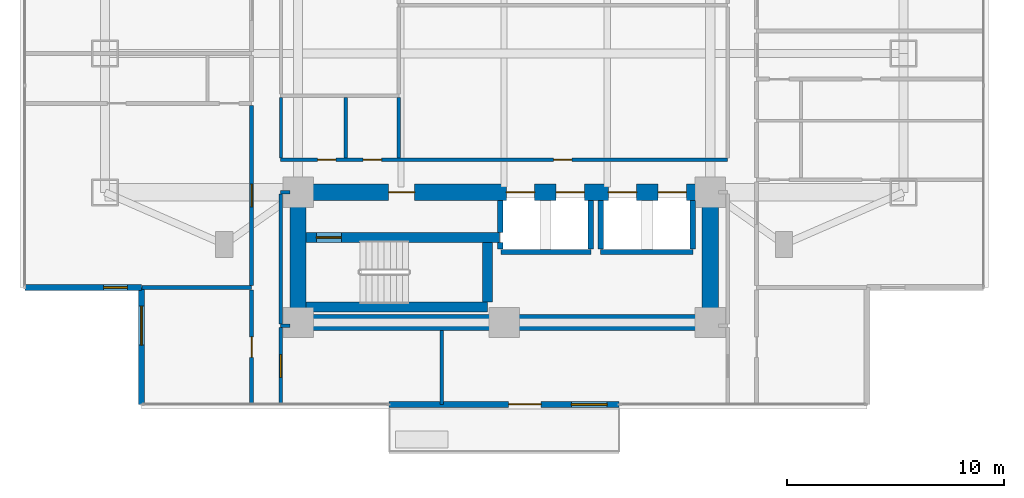
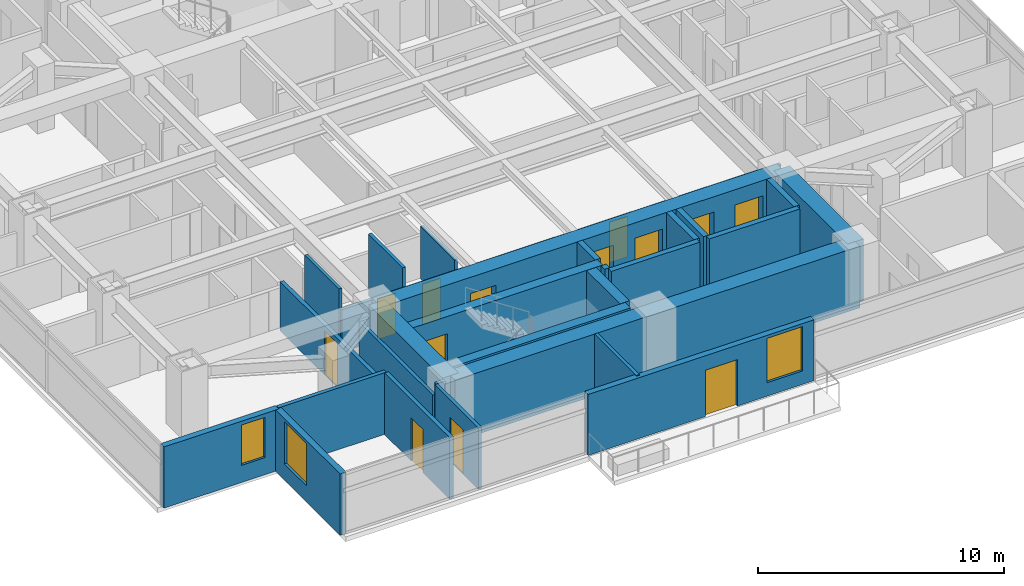
# One storey, part 13 of 25: 29 walls, 13 doors, 3 windows, 16 openings.
"""IFC4 building model written with IfcOpenShell, lengths in metres."""

from ifc_helpers import new_model, si_unit, direction, frame, frame_2d, origin, place, context, subcontext, project, spatial, rectangle, extrude, material, layer, layer_set, type_object, element, fill, save


model = new_model("IFC4")

# Units and contexts
model_context = context("Model", 3, precision=1e-05, world=origin(), true_north=direction((0.0, 1.0)))
body_context = subcontext(model_context, "Body", "Model", "MODEL_VIEW")
ifc_project = project(units=[si_unit("LENGTHUNIT", "METRE"), si_unit("AREAUNIT", "SQUARE_METRE"), si_unit("VOLUMEUNIT", "CUBIC_METRE"), si_unit("PLANEANGLEUNIT", "RADIAN"), si_unit("MASSUNIT", "GRAM", prefix="KILO")], contexts=[model_context])

# Site, building, storey
site_placement = place(None, origin())
site = spatial("IfcSite", under=ifc_project, at=site_placement, CompositionType="ELEMENT")
building_placement = place(site_placement, origin())
building = spatial("IfcBuilding", under=site, at=building_placement, Name="Mirazonda Arch Towers", CompositionType="ELEMENT")
storey_placement = place(building_placement, frame((0.0, 0.0, 35.60009765625)))
storey = spatial("IfcBuildingStorey", under=building, at=storey_placement, Name="L09", CompositionType="ELEMENT", Elevation=35.60009765625)

# Wall
ifc_material_1 = material(Name="Concrete C50/60", Category="concrete")
ifc_layer_1 = layer(ifc_material_1, 0.449951171875, Name="WALL-CORE-450")
ifc_layer_set_1 = layer_set([ifc_layer_1], Name="Concrete C50/60")
wall_type_1 = type_object("IfcWallType", Name="WALL-CORE-450", PredefinedType="SHEAR", material=ifc_layer_set_1)
wall_1_placement = place(storey_placement, frame((11.3701171875, 13.1201171875, 0.0), z_axis=(0.0, 0.0, 1.0), x_axis=(1.0, 0.0, 0.0)))
element("IfcWall", 1, at=wall_1_placement, inside=storey, type_object=wall_type_1, Name="L09 Stair Core Shear Wall 003", PredefinedType="SHEAR", context=body_context, shape_type="SweptSolid", body=[
    extrude(rectangle(XDim=8.35986328125, YDim=0.449951171875, at=frame_2d((4.179931640625, 0.0))), origin(), (0.0, 0.0, 1.0), 3.059814453125),
])

# Wall, opening, door
wall_2_placement = place(storey_placement, frame((11.3701171875, 16.320068359375, 0.0), z_axis=(0.0, 0.0, 1.0), x_axis=(1.0, 0.0, 0.0)))
wall_2 = element("IfcWall", 2, at=wall_2_placement, inside=storey, type_object=wall_type_1, Name="L09 Stair Core Shear Wall 008", PredefinedType="SHEAR", context=body_context, shape_type="SweptSolid", body=[
    extrude(rectangle(XDim=8.909912109375, YDim=0.449951171875, at=frame_2d((4.455078125, 0.0))), origin(), (0.0, 0.0, 1.0), 3.059814453125),
])
opening_1_placement = place(wall_2_placement, frame((0.469970703125, 0.0, 0.0)))
opening_1 = element("IfcOpeningElement", 3, at=opening_1_placement, cuts=wall_2, Name="Opening DR-135", PredefinedType="OPENING", context=body_context, shape_type="SweptSolid", body=[
    extrude(rectangle(XDim=1.14990234375, YDim=2.199951171875, at=frame_2d((0.574951171875, 1.10009765625))), frame((0.0, 0.23486328125, 0.0), z_axis=(0.0, -1.0, 0.0), x_axis=(1.0, 0.0, 0.0)), (0.0, 0.0, 1.0), 0.469970703125),
])
ifc_material_2 = material(Name="Architectural Brushed Steel S355", Category="steel")
door_type_1 = type_object("IfcDoorType", Name="DOOR-STAIR-FD90-1150", OperationType="NOTDEFINED", PredefinedType="DOOR", material=ifc_material_2)
door_1_placement = place(opening_1_placement, origin())
door_1 = element("IfcDoor", 4, at=door_1_placement, inside=storey, type_object=door_type_1, Name="L09 Protected Exit Stair South Door", OperationType="SINGLE_SWING_LEFT", OverallHeight=2.199951171875, OverallWidth=1.14990234375, PredefinedType="DOOR", context=body_context, shape_type="SweptSolid", body=[
    extrude(rectangle(XDim=1.14990234375, YDim=2.199951171875, at=frame_2d((0.574951171875, 1.10009765625))), frame((0.0, 0.02490234375, 0.0), z_axis=(0.0, -1.0, 0.0), x_axis=(1.0, 0.0, 0.0)), (0.0, 0.0, 1.0), 0.050048828125),
])
fill(opening_1, door_1)

# Walls
wall_3_placement = place(storey_placement, frame((19.72998046875, 13.35498046875, 0.0), z_axis=(0.0, 0.0, 1.0), x_axis=(0.0, 1.0, 0.0)))
element("IfcWall", 5, at=wall_3_placement, inside=storey, type_object=wall_type_1, Name="L09 Stair Core Shear Wall 089", PredefinedType="SHEAR", context=body_context, shape_type="SweptSolid", body=[
    extrude(rectangle(XDim=2.72998046875, YDim=0.449951171875, at=frame_2d((1.364990234375, 0.0))), origin(), (0.0, 0.0, 1.0), 3.059814453125),
])
ifc_material_3 = material(Name="Concrete C60/75", Category="concrete")
ifc_layer_2 = layer(ifc_material_3, 0.75, Name="WALL-CORE-750")
ifc_layer_set_2 = layer_set([ifc_layer_2], Name="Concrete C60/75")
wall_type_2 = type_object("IfcWallType", Name="WALL-CORE-750", PredefinedType="SHEAR", material=ifc_layer_set_2)
wall_4_placement = place(storey_placement, frame((11.0, 12.39990234375, 0.0), z_axis=(0.0, 0.0, 1.0), x_axis=(1.0, 0.0, 0.0)))
element("IfcWall", 6, at=wall_4_placement, inside=storey, type_object=wall_type_2, Name="L09 T1S-S Core Shear Wall", PredefinedType="SHEAR", context=body_context, shape_type="SweptSolid", body=[
    extrude(rectangle(XDim=19.0, YDim=0.75, at=frame_2d((9.5, 0.0))), origin(), (0.0, 0.0, 1.0), 3.059814453125),
])
for number, where, z_axis, x_axis, name in (
    (7, (11.0, 12.39990234375, 0.0), (0.0, 0.0, 1.0), (0.0, 1.0, 0.0), "L09 T1S-W Core Shear Wall"),
    (8, (30.0, 12.39990234375, 0.0), (0.0, 0.0, 1.0), (0.0, 1.0, 0.0), "L09 T1S-E Core Shear Wall"),
):
    element("IfcWall", number, at=place(storey_placement, frame(where, z_axis=z_axis, x_axis=x_axis)), inside=storey, type_object=wall_type_2, Name=name, PredefinedType="SHEAR", context=body_context, shape_type="SweptSolid", body=[
        extrude(rectangle(XDim=6.0, YDim=0.75, at=frame_2d((3.0, 0.0))), origin(), (0.0, 0.0, 1.0), 3.059814453125),
    ])

# Wall, openings, doors
wall_5_placement = place(storey_placement, frame((11.0, 18.39990234375, 0.0), z_axis=(0.0, 0.0, 1.0), x_axis=(1.0, 0.0, 0.0)))
wall_5 = element("IfcWall", 9, at=wall_5_placement, inside=storey, type_object=wall_type_2, Name="L09 T1S-N Core Shear Wall", PredefinedType="SHEAR", context=body_context, shape_type="SweptSolid", body=[
    extrude(rectangle(XDim=19.0, YDim=0.75, at=frame_2d((9.5, 0.0))), origin(), (0.0, 0.0, 1.0), 3.059814453125),
])
opening_2_placement = place(wall_5_placement, frame((4.175048828125, 0.0, 0.0)))
opening_2 = element("IfcOpeningElement", 10, at=opening_2_placement, cuts=wall_5, Name="Opening DR-117", PredefinedType="OPENING", context=body_context, shape_type="SweptSolid", body=[
    extrude(rectangle(XDim=1.199951171875, YDim=2.25, at=frame_2d((0.60009765625, 1.125))), frame((0.0, 0.385009765625, 0.0), z_axis=(0.0, -1.0, 0.0), x_axis=(1.0, 0.0, 0.0)), (0.0, 0.0, 1.0), 0.77001953125),
])
opening_3_placement = place(wall_5_placement, frame((9.60009765625, 0.0, 0.0)))
opening_3 = element("IfcOpeningElement", 11, at=opening_3_placement, cuts=wall_5, Name="Opening LD-111", PredefinedType="OPENING", context=body_context, shape_type="SweptSolid", body=[
    extrude(rectangle(XDim=1.300048828125, YDim=2.300048828125, at=frame_2d((0.64990234375, 1.14990234375))), frame((0.0, 0.385009765625, 0.0), z_axis=(0.0, -1.0, 0.0), x_axis=(1.0, 0.0, 0.0)), (0.0, 0.0, 1.0), 0.77001953125),
])
opening_4_placement = place(wall_5_placement, frame((11.89990234375, 0.0, 0.0)))
opening_4 = element("IfcOpeningElement", 12, at=opening_4_placement, cuts=wall_5, Name="Opening LD-111", PredefinedType="OPENING", context=body_context, shape_type="SweptSolid", body=[
    extrude(rectangle(XDim=1.300048828125, YDim=2.300048828125, at=frame_2d((0.64990234375, 1.14990234375))), frame((0.0, 0.385009765625, 0.0), z_axis=(0.0, -1.0, 0.0), x_axis=(1.0, 0.0, 0.0)), (0.0, 0.0, 1.0), 0.77001953125),
])
opening_5_placement = place(wall_5_placement, frame((14.300048828125, 0.0, 0.0)))
opening_5 = element("IfcOpeningElement", 13, at=opening_5_placement, cuts=wall_5, Name="Opening LD-111", PredefinedType="OPENING", context=body_context, shape_type="SweptSolid", body=[
    extrude(rectangle(XDim=1.300048828125, YDim=2.300048828125, at=frame_2d((0.64990234375, 1.14990234375))), frame((0.0, 0.385009765625, 0.0), z_axis=(0.0, -1.0, 0.0), x_axis=(1.0, 0.0, 0.0)), (0.0, 0.0, 1.0), 0.77001953125),
])
opening_6_placement = place(wall_5_placement, frame((16.60009765625, 0.0, 0.0)))
opening_6 = element("IfcOpeningElement", 14, at=opening_6_placement, cuts=wall_5, Name="Opening LD-111", PredefinedType="OPENING", context=body_context, shape_type="SweptSolid", body=[
    extrude(rectangle(XDim=1.300048828125, YDim=2.300048828125, at=frame_2d((0.64990234375, 1.14990234375))), frame((0.0, 0.385009765625, 0.0), z_axis=(0.0, -1.0, 0.0), x_axis=(1.0, 0.0, 0.0)), (0.0, 0.0, 1.0), 0.77001953125),
])
door_type_2 = type_object("IfcDoorType", Name="DOOR-FFL-FD90-1200", OperationType="NOTDEFINED", PredefinedType="DOOR", material=ifc_material_2)
door_2_placement = place(opening_2_placement, origin())
door_2 = element("IfcDoor", 15, at=door_2_placement, inside=storey, type_object=door_type_2, Name="L09 South Core Stair & Lift Lobby Door", OperationType="SINGLE_SWING_RIGHT", OverallHeight=2.25, OverallWidth=1.199951171875, PredefinedType="DOOR", context=body_context, shape_type="SweptSolid", body=[
    extrude(rectangle(XDim=1.199951171875, YDim=2.25, at=frame_2d((0.60009765625, 1.125))), frame((0.0, 0.02490234375, 0.0), z_axis=(0.0, -1.0, 0.0), x_axis=(1.0, 0.0, 0.0)), (0.0, 0.0, 1.0), 0.050048828125),
])
fill(opening_2, door_2)
door_type_3 = type_object("IfcDoorType", Name="DOOR-LIFT-LAND-1300", OperationType="NOTDEFINED", PredefinedType="DOOR", material=ifc_material_2)
door_3_placement = place(opening_3_placement, origin())
door_3 = element("IfcDoor", 16, at=door_3_placement, inside=storey, type_object=door_type_3, Name="L09 Lift Landing Sliding Door PL-T1M1", OperationType="DOUBLE_DOOR_SLIDING", OverallHeight=2.300048828125, OverallWidth=1.300048828125, PredefinedType="DOOR", context=body_context, shape_type="SweptSolid", body=[
    extrude(rectangle(XDim=1.300048828125, YDim=2.300048828125, at=frame_2d((0.64990234375, 1.14990234375))), frame((0.0, 0.02490234375, 0.0), z_axis=(0.0, -1.0, 0.0), x_axis=(1.0, 0.0, 0.0)), (0.0, 0.0, 1.0), 0.050048828125),
])
fill(opening_3, door_3)
door_4_placement = place(opening_4_placement, origin())
door_4 = element("IfcDoor", 17, at=door_4_placement, inside=storey, type_object=door_type_3, Name="L09 Lift Landing Sliding Door PL-T1M2", OperationType="DOUBLE_DOOR_SLIDING", OverallHeight=2.300048828125, OverallWidth=1.300048828125, PredefinedType="DOOR", context=body_context, shape_type="SweptSolid", body=[
    extrude(rectangle(XDim=1.300048828125, YDim=2.300048828125, at=frame_2d((0.64990234375, 1.14990234375))), frame((0.0, 0.02490234375, 0.0), z_axis=(0.0, -1.0, 0.0), x_axis=(1.0, 0.0, 0.0)), (0.0, 0.0, 1.0), 0.050048828125),
])
fill(opening_4, door_4)
door_5_placement = place(opening_5_placement, origin())
door_5 = element("IfcDoor", 18, at=door_5_placement, inside=storey, type_object=door_type_3, Name="L09 Lift Landing Sliding Door PL-T1H1", OperationType="DOUBLE_DOOR_SLIDING", OverallHeight=2.300048828125, OverallWidth=1.300048828125, PredefinedType="DOOR", context=body_context, shape_type="SweptSolid", body=[
    extrude(rectangle(XDim=1.300048828125, YDim=2.300048828125, at=frame_2d((0.64990234375, 1.14990234375))), frame((0.0, 0.02490234375, 0.0), z_axis=(0.0, -1.0, 0.0), x_axis=(1.0, 0.0, 0.0)), (0.0, 0.0, 1.0), 0.050048828125),
])
fill(opening_5, door_5)
door_6_placement = place(opening_6_placement, origin())
door_6 = element("IfcDoor", 19, at=door_6_placement, inside=storey, type_object=door_type_3, Name="L09 Lift Landing Sliding Door PL-T1H2", OperationType="DOUBLE_DOOR_SLIDING", OverallHeight=2.300048828125, OverallWidth=1.300048828125, PredefinedType="DOOR", context=body_context, shape_type="SweptSolid", body=[
    extrude(rectangle(XDim=1.300048828125, YDim=2.300048828125, at=frame_2d((0.64990234375, 1.14990234375))), frame((0.0, 0.02490234375, 0.0), z_axis=(0.0, -1.0, 0.0), x_axis=(1.0, 0.0, 0.0)), (0.0, 0.0, 1.0), 0.050048828125),
])
fill(opening_6, door_6)

# Wall, openings, door, window
ifc_material_4 = material(Name="Precast Concrete C40/50", Category="concrete")
ifc_layer_3 = layer(ifc_material_4, 0.280029296875, Name="WALL-EXT-WALL-280")
ifc_layer_set_3 = layer_set([ifc_layer_3], Name="Precast Concrete C40/50")
wall_type_3 = type_object("IfcWallType", Name="WALL-EXT-WALL-280", PredefinedType="SOLIDWALL", material=ifc_layer_set_3)
wall_6_placement = place(storey_placement, frame((25.800048828125, 8.6279296875, 0.0), z_axis=(0.0, 0.0, 1.0), x_axis=(-1.0, 0.0, 0.0)))
wall_6 = element("IfcWall", 20, at=wall_6_placement, inside=storey, type_object=wall_type_3, Name="L09 T1 Sky-Terrace Threshold Wall WL-TERR-L09-T1", PredefinedType="SOLIDWALL", context=body_context, shape_type="SweptSolid", body=[
    extrude(rectangle(XDim=10.60009765625, YDim=0.280029296875, at=frame_2d((5.300048828125, 0.0))), origin(), (0.0, 0.0, 1.0), 3.02001953125),
])
opening_7_placement = place(wall_6_placement, frame((0.550048828125, 0.0, 0.669921875)))
opening_7 = element("IfcOpeningElement", 21, at=opening_7_placement, cuts=wall_6, Name="Opening WN-115", PredefinedType="OPENING", context=body_context, shape_type="SweptSolid", body=[
    extrude(rectangle(XDim=1.64990234375, YDim=2.199951171875, at=frame_2d((0.824951171875, 1.10009765625))), frame((0.0, 0.14990234375, 0.0), z_axis=(0.0, -1.0, 0.0), x_axis=(1.0, 0.0, 0.0)), (0.0, 0.0, 1.0), 0.300048828125),
])
opening_8_placement = place(wall_6_placement, frame((3.60009765625, 0.0, 0.0)))
opening_8 = element("IfcOpeningElement", 22, at=opening_8_placement, cuts=wall_6, Name="Opening DR-116", PredefinedType="OPENING", context=body_context, shape_type="SweptSolid", body=[
    extrude(rectangle(XDim=1.5, YDim=2.300048828125, at=frame_2d((0.75, 1.14990234375))), frame((0.0, 0.14990234375, 0.0), z_axis=(0.0, -1.0, 0.0), x_axis=(1.0, 0.0, 0.0)), (0.0, 0.0, 1.0), 0.300048828125),
])
ifc_material_5 = material(Name="Architectural Hardwood Timber", Category="wood")
door_type_4 = type_object("IfcDoorType", Name="DOOR-TERR-EXT-1500", OperationType="NOTDEFINED", PredefinedType="DOOR", material=ifc_material_5)
door_7_placement = place(opening_8_placement, origin())
door_7 = element("IfcDoor", 23, at=door_7_placement, inside=storey, type_object=door_type_4, Name="L09 Exterior Door DR-TERR-L09-T1", OperationType="SINGLE_SWING_LEFT", OverallHeight=2.300048828125, OverallWidth=1.5, PredefinedType="DOOR", context=body_context, shape_type="SweptSolid", body=[
    extrude(rectangle(XDim=1.5, YDim=2.300048828125, at=frame_2d((0.75, 1.14990234375))), frame((0.0, 0.02490234375, 0.0), z_axis=(0.0, -1.0, 0.0), x_axis=(1.0, 0.0, 0.0)), (0.0, 0.0, 1.0), 0.050048828125),
])
fill(opening_8, door_7)
ifc_material_6 = material(Name="Insulated Low-E Solar Glass", Category="glass")
window_type_1 = type_object("IfcWindowType", Name="WIN-RES-1650x2200", PartitioningType="SINGLE_PANEL", PredefinedType="WINDOW", material=ifc_material_6)
window_1_placement = place(opening_7_placement, origin())
window_1 = element("IfcWindow", 24, at=window_1_placement, inside=storey, type_object=window_type_1, Name="L09 Punched Facade Window WN-TERR-L09-T1", OverallHeight=2.199951171875, OverallWidth=1.64990234375, PartitioningType="SINGLE_PANEL", PredefinedType="WINDOW", context=body_context, shape_type="SweptSolid", body=[
    extrude(rectangle(XDim=1.64990234375, YDim=2.199951171875, at=frame_2d((0.824951171875, 1.10009765625))), frame((0.0, 0.030029296875, 0.0), z_axis=(0.0, -1.0, 0.0), x_axis=(1.0, 0.0, 0.0)), (0.0, 0.0, 1.0), 0.06005859375),
])
fill(opening_7, window_1)

# Wall, opening, window
wall_7_placement = place(storey_placement, frame((3.780029296875, 14.008056640625, 0.0), z_axis=(0.0, 0.0, 1.0), x_axis=(0.0, -1.0, 0.0)))
wall_7 = element("IfcWall", 25, at=wall_7_placement, inside=storey, type_object=wall_type_3, Name="L09 T1 Notched SW Corner Wall WL-L09-T1-CSW", PredefinedType="SOLIDWALL", context=body_context, shape_type="SweptSolid", body=[
    extrude(rectangle(XDim=5.380126953125, YDim=0.280029296875, at=frame_2d((2.68994140625, 0.0))), origin(), (0.0, 0.0, 1.0), 3.039794921875),
])
opening_9_placement = place(wall_7_placement, frame((0.85009765625, 0.0, 0.7900390625)))
opening_9 = element("IfcOpeningElement", 26, at=opening_9_placement, cuts=wall_7, Name="Opening WN-116", PredefinedType="OPENING", context=body_context, shape_type="SweptSolid", body=[
    extrude(rectangle(XDim=1.800048828125, YDim=2.10009765625, at=frame_2d((0.89990234375, 1.050048828125))), frame((0.0, 0.14990234375, 0.0), z_axis=(0.0, -1.0, 0.0), x_axis=(1.0, 0.0, 0.0)), (0.0, 0.0, 1.0), 0.300048828125),
])
window_type_2 = type_object("IfcWindowType", Name="WIN-HTL-1800x2100", PartitioningType="SINGLE_PANEL", PredefinedType="WINDOW", material=ifc_material_6)
window_2_placement = place(opening_9_placement, origin())
window_2 = element("IfcWindow", 27, at=window_2_placement, inside=storey, type_object=window_type_2, Name="L09 Punched Facade Window WN-L09-T1-CSW", OverallHeight=2.10009765625, OverallWidth=1.800048828125, PartitioningType="SINGLE_PANEL", PredefinedType="WINDOW", context=body_context, shape_type="SweptSolid", body=[
    extrude(rectangle(XDim=1.800048828125, YDim=2.10009765625, at=frame_2d((0.89990234375, 1.050048828125))), frame((0.0, 0.030029296875, 0.0), z_axis=(0.0, -1.0, 0.0), x_axis=(1.0, 0.0, 0.0)), (0.0, 0.0, 1.0), 0.06005859375),
])
fill(opening_9, window_2)

wall_8_placement = place(storey_placement, frame((-1.60009765625, 14.008056640625, 0.0), z_axis=(0.0, 0.0, 1.0), x_axis=(1.0, 0.0, 0.0)))
wall_8 = element("IfcWall", 28, at=wall_8_placement, inside=storey, type_object=wall_type_3, Name="L09 T1 Corner Notch Return Wall WL-L09-T1-CSW2", PredefinedType="SOLIDWALL", context=body_context, shape_type="SweptSolid", body=[
    extrude(rectangle(XDim=5.380126953125, YDim=0.280029296875, at=frame_2d((2.68994140625, 0.0))), origin(), (0.0, 0.0, 1.0), 3.039794921875),
])
opening_10_placement = place(wall_8_placement, frame((3.6298828125, 0.0, 0.85009765625)))
opening_10 = element("IfcOpeningElement", 29, at=opening_10_placement, cuts=wall_8, Name="Opening WN-108", PredefinedType="OPENING", context=body_context, shape_type="SweptSolid", body=[
    extrude(rectangle(XDim=1.10009765625, YDim=2.0, at=frame_2d((0.550048828125, 1.0))), frame((0.0, 0.14990234375, 0.0), z_axis=(0.0, -1.0, 0.0), x_axis=(1.0, 0.0, 0.0)), (0.0, 0.0, 1.0), 0.300048828125),
])
window_type_3 = type_object("IfcWindowType", Name="WIN-NOTCH-1100x2000", PartitioningType="SINGLE_PANEL", PredefinedType="WINDOW", material=ifc_material_6)
window_3_placement = place(opening_10_placement, origin())
window_3 = element("IfcWindow", 30, at=window_3_placement, inside=storey, type_object=window_type_3, Name="L09 Punched Facade Window WN-L09-T1-CSW2", OverallHeight=2.0, OverallWidth=1.10009765625, PartitioningType="SINGLE_PANEL", PredefinedType="WINDOW", context=body_context, shape_type="SweptSolid", body=[
    extrude(rectangle(XDim=1.10009765625, YDim=2.0, at=frame_2d((0.550048828125, 1.0))), frame((0.0, 0.030029296875, 0.0), z_axis=(0.0, -1.0, 0.0), x_axis=(1.0, 0.0, 0.0)), (0.0, 0.0, 1.0), 0.06005859375),
])
fill(opening_10, window_3)

# Walls
ifc_material_7 = material(Name="Fire-Rated Gypsum Stud Partition")
ifc_layer_4 = layer(ifc_material_7, 0.14990234375, Name="WALL-PART-CORR-150")
ifc_layer_set_4 = layer_set([ifc_layer_4], Name="Fire-Rated Gypsum Stud Partition")
wall_type_4 = type_object("IfcWallType", Name="WALL-PART-CORR-150", PredefinedType="PARTITIONING", material=ifc_layer_set_4)
wall_9_placement = place(storey_placement, frame((10.199951171875, 12.25, 0.0), z_axis=(0.0, 0.0, 1.0), x_axis=(1.0, 0.0, 0.0)))
element("IfcWall", 31, at=wall_9_placement, inside=storey, type_object=wall_type_4, Name="L09 Interior Partition 001", PredefinedType="PARTITIONING", context=body_context, shape_type="SweptSolid", body=[
    extrude(rectangle(XDim=0.429931640625, YDim=0.14990234375, at=frame_2d((0.21484375, 0.0))), origin(), (0.0, 0.0, 1.0), 3.059814453125),
])
wall_10_placement = place(storey_placement, frame((10.199951171875, 18.39990234375, 0.0), z_axis=(0.0, 0.0, 1.0), x_axis=(1.0, 0.0, 0.0)))
element("IfcWall", 32, at=wall_10_placement, inside=storey, type_object=wall_type_4, Name="L09 Interior Partition 012", PredefinedType="PARTITIONING", context=body_context, shape_type="SweptSolid", body=[
    extrude(rectangle(XDim=0.429931640625, YDim=0.14990234375, at=frame_2d((0.21484375, 0.0))), origin(), (0.0, 0.0, 1.0), 2.435791015625),
])

# Wall, openings, doors
wall_11_placement = place(storey_placement, frame((10.199951171875, 19.89990234375, 0.0), z_axis=(0.0, 0.0, 1.0), x_axis=(1.0, 0.0, 0.0)))
wall_11 = element("IfcWall", 33, at=wall_11_placement, inside=storey, type_object=wall_type_4, Name="L09 Interior Partition 016", PredefinedType="PARTITIONING", context=body_context, shape_type="SweptSolid", body=[
    extrude(rectangle(XDim=20.60009765625, YDim=0.14990234375, at=frame_2d((10.300048828125, 0.0))), origin(), (0.0, 0.0, 1.0), 2.10400390625),
])
opening_11_placement = place(wall_11_placement, frame((1.695068359375, 0.0, 0.0)))
opening_11 = element("IfcOpeningElement", 34, at=opening_11_placement, cuts=wall_11, Name="Opening DR-128", PredefinedType="OPENING", context=body_context, shape_type="SweptSolid", body=[
    extrude(rectangle(XDim=0.85009765625, YDim=2.010009765625, at=frame_2d((0.425048828125, 1.0048828125))), frame((0.0, 0.0849609375, 0.0), z_axis=(0.0, -1.0, 0.0), x_axis=(1.0, 0.0, 0.0)), (0.0, 0.0, 1.0), 0.169921875),
])
opening_12_placement = place(wall_11_placement, frame((3.794921875, 0.0, 0.0)))
opening_12 = element("IfcOpeningElement", 35, at=opening_12_placement, cuts=wall_11, Name="Opening DR-128", PredefinedType="OPENING", context=body_context, shape_type="SweptSolid", body=[
    extrude(rectangle(XDim=0.85009765625, YDim=2.010009765625, at=frame_2d((0.425048828125, 1.0048828125))), frame((0.0, 0.0849609375, 0.0), z_axis=(0.0, -1.0, 0.0), x_axis=(1.0, 0.0, 0.0)), (0.0, 0.0, 1.0), 0.169921875),
])
opening_13_placement = place(wall_11_placement, frame((12.574951171875, 0.0, 0.0)))
opening_13 = element("IfcOpeningElement", 36, at=opening_13_placement, cuts=wall_11, Name="Opening DR-128", PredefinedType="OPENING", context=body_context, shape_type="SweptSolid", body=[
    extrude(rectangle(XDim=0.85009765625, YDim=2.010009765625, at=frame_2d((0.425048828125, 1.0048828125))), frame((0.0, 0.0849609375, 0.0), z_axis=(0.0, -1.0, 0.0), x_axis=(1.0, 0.0, 0.0)), (0.0, 0.0, 1.0), 0.169921875),
])
door_type_5 = type_object("IfcDoorType", Name="DOOR-RISER-FD60-850", OperationType="NOTDEFINED", PredefinedType="DOOR", material=ifc_material_2)
door_8_placement = place(opening_11_placement, origin())
door_8 = element("IfcDoor", 37, at=door_8_placement, inside=storey, type_object=door_type_5, Name="L09 Common Accessible WC Door", OperationType="SINGLE_SWING_RIGHT", OverallHeight=2.010009765625, OverallWidth=0.85009765625, PredefinedType="DOOR", context=body_context, shape_type="SweptSolid", body=[
    extrude(rectangle(XDim=0.85009765625, YDim=2.010009765625, at=frame_2d((0.425048828125, 1.0048828125))), frame((0.0, 0.02490234375, 0.0), z_axis=(0.0, -1.0, 0.0), x_axis=(1.0, 0.0, 0.0)), (0.0, 0.0, 1.0), 0.050048828125),
])
fill(opening_11, door_8)
door_9_placement = place(opening_12_placement, origin())
door_9 = element("IfcDoor", 38, at=door_9_placement, inside=storey, type_object=door_type_5, Name="L09 L09 West Courtyard Study Door", OperationType="SINGLE_SWING_RIGHT", OverallHeight=2.010009765625, OverallWidth=0.85009765625, PredefinedType="DOOR", context=body_context, shape_type="SweptSolid", body=[
    extrude(rectangle(XDim=0.85009765625, YDim=2.010009765625, at=frame_2d((0.425048828125, 1.0048828125))), frame((0.0, 0.02490234375, 0.0), z_axis=(0.0, -1.0, 0.0), x_axis=(1.0, 0.0, 0.0)), (0.0, 0.0, 1.0), 0.050048828125),
])
fill(opening_12, door_9)
door_10_placement = place(opening_13_placement, origin())
door_10 = element("IfcDoor", 39, at=door_10_placement, inside=storey, type_object=door_type_5, Name="L09 Business Reading Study Door", OperationType="SINGLE_SWING_RIGHT", OverallHeight=2.010009765625, OverallWidth=0.85009765625, PredefinedType="DOOR", context=body_context, shape_type="SweptSolid", body=[
    extrude(rectangle(XDim=0.85009765625, YDim=2.010009765625, at=frame_2d((0.425048828125, 1.0048828125))), frame((0.0, 0.02490234375, 0.0), z_axis=(0.0, -1.0, 0.0), x_axis=(1.0, 0.0, 0.0)), (0.0, 0.0, 1.0), 0.050048828125),
])
fill(opening_13, door_10)

# Wall, opening, door
wall_12_placement = place(storey_placement, frame((10.199951171875, 8.6279296875, 0.0), z_axis=(0.0, 0.0, 1.0), x_axis=(0.0, 1.0, 0.0)))
wall_12 = element("IfcWall", 40, at=wall_12_placement, inside=storey, type_object=wall_type_4, Name="L09 Interior Partition 076", PredefinedType="PARTITIONING", context=body_context, shape_type="SweptSolid", body=[
    extrude(rectangle(XDim=3.537109375, YDim=0.14990234375, at=frame_2d((1.7685546875, 0.0))), origin(), (0.0, 0.0, 1.0), 3.059814453125),
])
opening_14_placement = place(wall_12_placement, frame((1.243408203125, 0.0, 0.0)))
opening_14 = element("IfcOpeningElement", 41, at=opening_14_placement, cuts=wall_12, Name="Opening DR-121", PredefinedType="OPENING", context=body_context, shape_type="SweptSolid", body=[
    extrude(rectangle(XDim=1.050048828125, YDim=2.199951171875, at=frame_2d((0.52490234375, 1.10009765625))), frame((0.0, 0.0849609375, 0.0), z_axis=(0.0, -1.0, 0.0), x_axis=(1.0, 0.0, 0.0)), (0.0, 0.0, 1.0), 0.169921875),
])
door_type_6 = type_object("IfcDoorType", Name="DOOR-SUITE-FD60-1050", OperationType="NOTDEFINED", PredefinedType="DOOR", material=ifc_material_2)
door_11_placement = place(opening_14_placement, origin())
door_11 = element("IfcDoor", 42, at=door_11_placement, inside=storey, type_object=door_type_6, Name="L09 South Horizon Lounge Minor Door", OperationType="SINGLE_SWING_RIGHT", OverallHeight=2.199951171875, OverallWidth=1.050048828125, PredefinedType="DOOR", context=body_context, shape_type="SweptSolid", body=[
    extrude(rectangle(XDim=1.050048828125, YDim=2.199951171875, at=frame_2d((0.52490234375, 1.10009765625))), frame((0.0, 0.02490234375, 0.0), z_axis=(0.0, -1.0, 0.0), x_axis=(1.0, 0.0, 0.0)), (0.0, 0.0, 1.0), 0.050048828125),
])
fill(opening_14, door_11)

# Walls
wall_13_placement = place(storey_placement, frame((10.199951171875, 12.3349609375, 0.0), z_axis=(0.0, 0.0, 1.0), x_axis=(0.0, 1.0, 0.0)))
element("IfcWall", 43, at=wall_13_placement, inside=storey, type_object=wall_type_4, Name="L09 Interior Partition 077", PredefinedType="PARTITIONING", context=body_context, shape_type="SweptSolid", body=[
    extrude(rectangle(XDim=5.97998046875, YDim=0.14990234375, at=frame_2d((2.989990234375, 0.0))), origin(), (0.0, 0.0, 1.0), 2.435791015625),
])
for number, where, z_axis, x_axis, name in (
    (44, (10.206787109375, 19.985107421875, 0.0), (0.0, 0.0, 1.0), (0.0, 1.0, 0.0), "L09 Interior Partition 078"),
    (45, (13.199951171875, 19.985107421875, 0.0), (0.0, 0.0, 1.0), (0.0, 1.0, 0.0), "L09 Interior Partition 083"),
):
    element("IfcWall", number, at=place(storey_placement, frame(where, z_axis=z_axis, x_axis=x_axis)), inside=storey, type_object=wall_type_4, Name=name, PredefinedType="PARTITIONING", context=body_context, shape_type="SweptSolid", body=[
        extrude(rectangle(XDim=2.77978515625, YDim=0.14990234375, at=frame_2d((1.389892578125, 0.0))), origin(), (0.0, 0.0, 1.0), 3.059814453125),
    ])
wall_14_placement = place(storey_placement, frame((15.639892578125, 19.985107421875, 0.0), z_axis=(0.0, 0.0, 1.0), x_axis=(0.0, 1.0, 0.0)))
element("IfcWall", 46, at=wall_14_placement, inside=storey, type_object=wall_type_4, Name="L09 Interior Partition 084", PredefinedType="PARTITIONING", context=body_context, shape_type="SweptSolid", body=[
    extrude(rectangle(XDim=2.77978515625, YDim=0.14990234375, at=frame_2d((1.389892578125, 0.0))), origin(), (0.0, 0.0, 1.0), 2.5888671875),
])
wall_15_placement = place(storey_placement, frame((17.615966796875, 8.6279296875, 0.0), z_axis=(0.0, 0.0, 1.0), x_axis=(0.0, 1.0, 0.0)))
element("IfcWall", 47, at=wall_15_placement, inside=storey, type_object=wall_type_4, Name="L09 Interior Partition 088", PredefinedType="PARTITIONING", context=body_context, shape_type="SweptSolid", body=[
    extrude(rectangle(XDim=3.402099609375, YDim=0.14990234375, at=frame_2d((1.701171875, 0.0))), origin(), (0.0, 0.0, 1.0), 3.059814453125),
])
ifc_material_8 = material(Name="Fire-Rated Gypsum Twin-Stud Assembly")
ifc_layer_5 = layer(ifc_material_8, 0.179931640625, Name="WALL-PART-DEMISE-180")
ifc_layer_set_5 = layer_set([ifc_layer_5], Name="Fire-Rated Gypsum Twin-Stud Assembly")
wall_type_5 = type_object("IfcWallType", Name="WALL-PART-DEMISE-180", PredefinedType="PARTITIONING", material=ifc_layer_set_5)
wall_16_placement = place(storey_placement, frame((3.800048828125, 14.008056640625, 0.0), z_axis=(0.0, 0.0, 1.0), x_axis=(1.0, 0.0, 0.0)))
element("IfcWall", 48, at=wall_16_placement, inside=storey, type_object=wall_type_5, Name="L09 Interior Partition 004", PredefinedType="PARTITIONING", context=body_context, shape_type="SweptSolid", body=[
    extrude(rectangle(XDim=5.06005859375, YDim=0.179931640625, at=frame_2d((2.530029296875, 0.0))), origin(), (0.0, 0.0, 1.0), 3.059814453125),
])

# Wall, opening, door
wall_17_placement = place(storey_placement, frame((8.860107421875, 8.6279296875, 0.0), z_axis=(0.0, 0.0, 1.0), x_axis=(0.0, 1.0, 0.0)))
wall_17 = element("IfcWall", 49, at=wall_17_placement, inside=storey, type_object=wall_type_5, Name="L09 Interior Partition 068", PredefinedType="PARTITIONING", context=body_context, shape_type="SweptSolid", body=[
    extrude(rectangle(XDim=5.280029296875, YDim=0.179931640625, at=frame_2d((2.64013671875, 0.0))), origin(), (0.0, 0.0, 1.0), 3.059814453125),
])
opening_15_placement = place(wall_17_placement, frame((2.1650390625, 0.0, 0.0)))
opening_15 = element("IfcOpeningElement", 50, at=opening_15_placement, cuts=wall_17, Name="Opening DR-104", PredefinedType="OPENING", context=body_context, shape_type="SweptSolid", body=[
    extrude(rectangle(XDim=0.949951171875, YDim=2.14990234375, at=frame_2d((0.47509765625, 1.074951171875))), frame((0.0, 0.099853515625, 0.0), z_axis=(0.0, -1.0, 0.0), x_axis=(1.0, 0.0, 0.0)), (0.0, 0.0, 1.0), 0.199951171875),
])
door_type_7 = type_object("IfcDoorType", Name="DOOR-ROOM-950", OperationType="NOTDEFINED", PredefinedType="DOOR", material=ifc_material_2)
door_12_placement = place(opening_15_placement, origin())
door_12 = element("IfcDoor", 51, at=door_12_placement, inside=storey, type_object=door_type_7, Name="L09 South Horizon Lounge Alcove West Door", OperationType="SINGLE_SWING_RIGHT", OverallHeight=2.14990234375, OverallWidth=0.949951171875, PredefinedType="DOOR", context=body_context, shape_type="SweptSolid", body=[
    extrude(rectangle(XDim=0.949951171875, YDim=2.14990234375, at=frame_2d((0.47509765625, 1.074951171875))), frame((0.0, 0.02490234375, 0.0), z_axis=(0.0, -1.0, 0.0), x_axis=(1.0, 0.0, 0.0)), (0.0, 0.0, 1.0), 0.050048828125),
])
fill(opening_15, door_12)

wall_18_placement = place(storey_placement, frame((8.860107421875, 14.10791015625, 0.0), z_axis=(0.0, 0.0, 1.0), x_axis=(0.0, 1.0, 0.0)))
wall_18 = element("IfcWall", 52, at=wall_18_placement, inside=storey, type_object=wall_type_5, Name="L09 Interior Partition 069", PredefinedType="PARTITIONING", context=body_context, shape_type="SweptSolid", body=[
    extrude(rectangle(XDim=8.2919921875, YDim=0.179931640625, at=frame_2d((4.14599609375, 0.0))), origin(), (0.0, 0.0, 1.0), 2.435791015625),
])
opening_16_placement = place(wall_18_placement, frame((3.62109375, 0.0, 0.0)))
opening_16 = element("IfcOpeningElement", 53, at=opening_16_placement, cuts=wall_18, Name="Opening DR-121", PredefinedType="OPENING", context=body_context, shape_type="SweptSolid", body=[
    extrude(rectangle(XDim=1.050048828125, YDim=2.199951171875, at=frame_2d((0.52490234375, 1.10009765625))), frame((0.0, 0.099853515625, 0.0), z_axis=(0.0, -1.0, 0.0), x_axis=(1.0, 0.0, 0.0)), (0.0, 0.0, 1.0), 0.199951171875),
])
door_13_placement = place(opening_16_placement, origin())
door_13 = element("IfcDoor", 54, at=door_13_placement, inside=storey, type_object=door_type_6, Name="L09 Presidential Hotel Suite 1 Door", OperationType="SINGLE_SWING_LEFT", OverallHeight=2.199951171875, OverallWidth=1.050048828125, PredefinedType="DOOR", context=body_context, shape_type="SweptSolid", body=[
    extrude(rectangle(XDim=1.050048828125, YDim=2.199951171875, at=frame_2d((0.52490234375, 1.10009765625))), frame((0.0, 0.02490234375, 0.0), z_axis=(0.0, -1.0, 0.0), x_axis=(1.0, 0.0, 0.0)), (0.0, 0.0, 1.0), 0.050048828125),
])
fill(opening_16, door_13)

# Walls
ifc_material_9 = material(Name="Concrete C40/50", Category="concrete")
ifc_layer_6 = layer(ifc_material_9, 0.25, Name="WALL-SHAFT-250")
ifc_layer_set_6 = layer_set([ifc_layer_6], Name="Concrete C40/50")
wall_type_6 = type_object("IfcWallType", Name="WALL-SHAFT-250", PredefinedType="SOLIDWALL", material=ifc_layer_set_6)
wall_19_placement = place(storey_placement, frame((20.35009765625, 15.64990234375, 0.0), z_axis=(0.0, 0.0, 1.0), x_axis=(1.0, 0.0, 0.0)))
element("IfcWall", 55, at=wall_19_placement, inside=storey, type_object=wall_type_6, Name="L09 Interior Partition 006", PredefinedType="SOLIDWALL", context=body_context, shape_type="SweptSolid", body=[
    extrude(rectangle(XDim=4.14990234375, YDim=0.25, at=frame_2d((2.074951171875, 0.0))), origin(), (0.0, 0.0, 1.0), 3.059814453125),
])
wall_20_placement = place(storey_placement, frame((24.949951171875, 15.64990234375, 0.0), z_axis=(0.0, 0.0, 1.0), x_axis=(1.0, 0.0, 0.0)))
element("IfcWall", 56, at=wall_20_placement, inside=storey, type_object=wall_type_6, Name="L09 Interior Partition 007", PredefinedType="SOLIDWALL", context=body_context, shape_type="SweptSolid", body=[
    extrude(rectangle(XDim=4.25, YDim=0.25, at=frame_2d((2.125, 0.0))), origin(), (0.0, 0.0, 1.0), 3.059814453125),
])
wall_21_placement = place(storey_placement, frame((20.31494140625, 15.784912109375, 0.0), z_axis=(0.0, 0.0, 1.0), x_axis=(0.0, 1.0, 0.0)))
element("IfcWall", 57, at=wall_21_placement, inside=storey, type_object=wall_type_6, Name="L09 Interior Partition 091", PredefinedType="SOLIDWALL", context=body_context, shape_type="SweptSolid", body=[
    extrude(rectangle(XDim=0.300048828125, YDim=0.25, at=frame_2d((0.14990234375, 0.0))), origin(), (0.0, 0.0, 1.0), 3.059814453125),
])
wall_22_placement = place(storey_placement, frame((20.31494140625, 16.554931640625, 0.0), z_axis=(0.0, 0.0, 1.0), x_axis=(0.0, 1.0, 0.0)))
element("IfcWall", 58, at=wall_22_placement, inside=storey, type_object=wall_type_6, Name="L09 Interior Partition 092", PredefinedType="SOLIDWALL", context=body_context, shape_type="SweptSolid", body=[
    extrude(rectangle(XDim=1.47509765625, YDim=0.25, at=frame_2d((0.737548828125, 0.0))), origin(), (0.0, 0.0, 1.0), 3.059814453125),
])
for number, where, z_axis, x_axis, name in (
    (59, (24.5, 15.784912109375, 0.0), (0.0, 0.0, 1.0), (0.0, 1.0, 0.0), "L09 Interior Partition 093"),
    (60, (24.949951171875, 15.784912109375, 0.0), (0.0, 0.0, 1.0), (0.0, 1.0, 0.0), "L09 Interior Partition 095"),
    (61, (29.199951171875, 15.784912109375, 0.0), (0.0, 0.0, 1.0), (0.0, 1.0, 0.0), "L09 Interior Partition 098"),
):
    element("IfcWall", number, at=place(storey_placement, frame(where, z_axis=z_axis, x_axis=x_axis)), inside=storey, type_object=wall_type_6, Name=name, PredefinedType="SOLIDWALL", context=body_context, shape_type="SweptSolid", body=[
        extrude(rectangle(XDim=2.2451171875, YDim=0.25, at=frame_2d((1.12255859375, 0.0))), origin(), (0.0, 0.0, 1.0), 3.059814453125),
    ])

save(model, "model.ifc")
